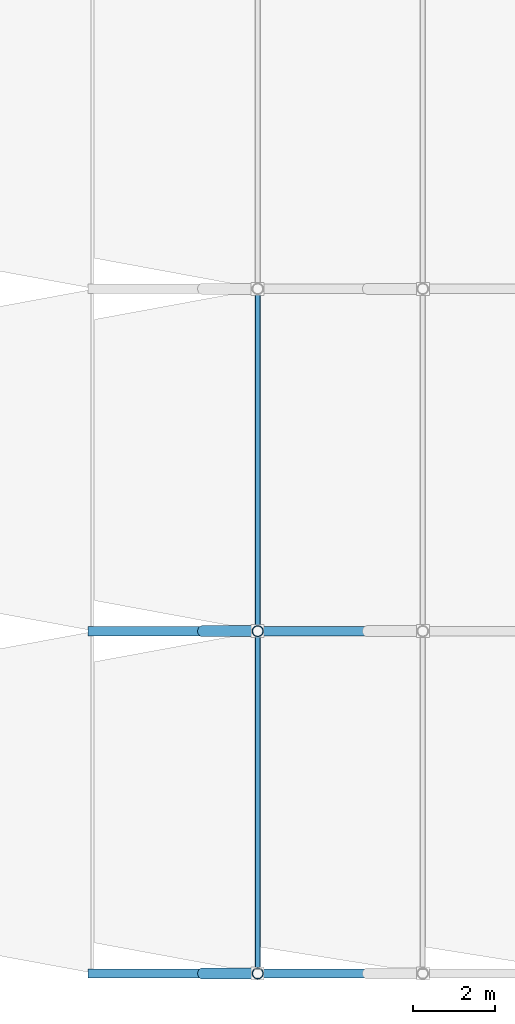
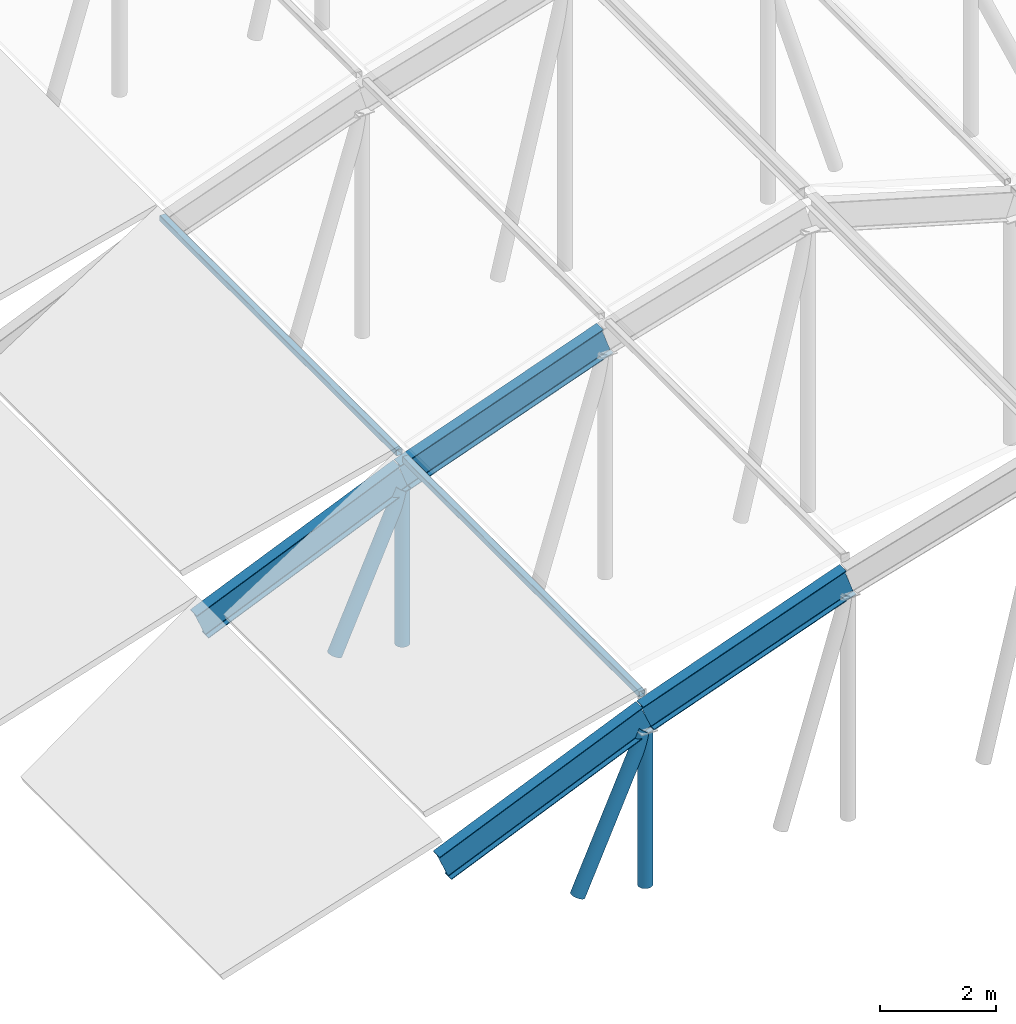
# One storey, part 1 of 22: 6 members, 4 beams.
"""IFC4 building model written with IfcOpenShell, lengths in metres."""

from ifc_helpers import new_model, si_unit, direction, frame, origin, origin_2d, place, context, subcontext, project, spatial, hollow_rectangle, hollow_circle, i_section, extrude, material, material_profile, profile_set, type_object, element, save


model = new_model("IFC4")

# Units and contexts
model_context = context("Model", 3, precision=1e-05, world=origin(), true_north=direction((0.0, 1.0)))
body_context = subcontext(model_context, "Body", "Model", "MODEL_VIEW")
ifc_project = project(units=[si_unit("LENGTHUNIT", "METRE"), si_unit("AREAUNIT", "SQUARE_METRE"), si_unit("VOLUMEUNIT", "CUBIC_METRE"), si_unit("PLANEANGLEUNIT", "RADIAN"), si_unit("MASSUNIT", "GRAM", prefix="KILO")], contexts=[model_context])

# Site, building, storey
site_placement = place(None, origin())
site = spatial("IfcSite", under=ifc_project, at=site_placement, CompositionType="ELEMENT")
building_placement = place(site_placement, origin())
building = spatial("IfcBuilding", under=site, at=building_placement, Name="Vireocrest Preparatory School", CompositionType="ELEMENT")
storey_placement = place(building_placement, frame((0.0, 0.0, 25.800048828125)))
storey = spatial("IfcBuildingStorey", under=building, at=storey_placement, Name="RF", CompositionType="ELEMENT", Elevation=25.800048828125)

# Members
ifc_material_1 = material(Name="Painted white steel ASTM A500 Grade C", Category="steel")
ifc_material_profile_1 = material_profile(ifc_material_1, hollow_rectangle(XDim=0.126953125, YDim=0.126953125, WallThickness=0.0087890625, InnerFilletRadius=0.0087890625, OuterFilletRadius=0.017822265625, at=origin_2d()), Name="HSS5X5X3/8")
ifc_profile_set_1 = profile_set([ifc_material_profile_1], Name="Painted white steel ASTM A500 Grade C")
member_type_1 = type_object("IfcMemberType", Name="Canopy Glass Steel Purlin HSS5X5X3/8", PredefinedType="PURLIN", material=ifc_profile_set_1)
for number, where, z_axis, x_axis, name in (
    (1, (71.699951171875, 27.110107421875, 1.33203125), (0.0, 1.0, 0.0), (-1.0, 0.0, 0.0), "Canopy Glass Purlin PR2-1-3"),
    (2, (71.699951171875, 35.510009765625, 1.33203125), (0.0, 1.0, 0.0), (-1.0, 0.0, 0.0), "Canopy Glass Purlin PR2-2-3"),
):
    element("IfcMember", number, at=place(storey_placement, frame(where, z_axis=z_axis, x_axis=x_axis)), inside=storey, type_object=member_type_1, Name=name, PredefinedType="PURLIN", context=body_context, shape_type="SweptSolid", body=[
        extrude(hollow_rectangle(XDim=0.126953125, YDim=0.126953125, WallThickness=0.0087890625, InnerFilletRadius=0.0087890625, OuterFilletRadius=0.017822265625, at=origin_2d()), origin(), (0.0, 0.0, 1.0), 8.179931640625),
    ])

# Beams
ifc_material_2 = material(Name="Structural steel ASTM A992 Grade 50", Category="steel")
ifc_material_profile_2 = material_profile(ifc_material_2, i_section(OverallWidth=0.22802734375, OverallDepth=0.60302734375, WebThickness=0.010498046875, FlangeThickness=0.014892578125, FilletRadius=0.01611328125, at=origin_2d()), Name="W24X68")
ifc_profile_set_2 = profile_set([ifc_material_profile_2], Name="Structural steel ASTM A992 Grade 50")
beam_type = type_object("IfcBeamType", Name="Dining Pavilion Roof Girder W24X68", PredefinedType="BEAM", material=ifc_profile_set_2)
beam_1_placement = place(storey_placement, frame((67.64990234375, 27.0, -0.8056640625), z_axis=(0.918795164694, 0.0, 0.394734651804), x_axis=(0.0, 1.0, 0.0)))
element("IfcBeam", 3, at=beam_1_placement, inside=storey, type_object=beam_type, Name="Canopy Rafter Chord SB4-1-2", PredefinedType="BEAM", context=body_context, shape_type="SweptSolid", body=[
    extrude(i_section(OverallWidth=0.22802734375, OverallDepth=0.60302734375, WebThickness=0.010498046875, FlangeThickness=0.014892578125, FilletRadius=0.01611328125, at=origin_2d()), origin(), (0.0, 0.0, 1.0), 4.407958984375),
])
beam_2_placement = place(storey_placement, frame((71.699951171875, 27.0, 0.934326171875), z_axis=(0.9407434664, 0.0, 0.33911905052), x_axis=(0.0, 1.0, 0.0)))
element("IfcBeam", 4, at=beam_2_placement, inside=storey, type_object=beam_type, Name="Canopy Rafter Chord SB4-1-3", PredefinedType="BEAM", context=body_context, shape_type="SweptSolid", body=[
    extrude(i_section(OverallWidth=0.22802734375, OverallDepth=0.60302734375, WebThickness=0.010498046875, FlangeThickness=0.014892578125, FilletRadius=0.01611328125, at=origin_2d()), origin(), (0.0, 0.0, 1.0), 4.30517578125),
])
beam_3_placement = place(storey_placement, frame((67.64990234375, 35.39990234375, -0.8056640625), z_axis=(0.918795164694, 0.0, 0.394734651804), x_axis=(0.0, 1.0, 0.0)))
element("IfcBeam", 5, at=beam_3_placement, inside=storey, type_object=beam_type, Name="Canopy Rafter Chord SB4-2-2", PredefinedType="BEAM", context=body_context, shape_type="SweptSolid", body=[
    extrude(i_section(OverallWidth=0.22802734375, OverallDepth=0.60302734375, WebThickness=0.010498046875, FlangeThickness=0.014892578125, FilletRadius=0.01611328125, at=origin_2d()), origin(), (0.0, 0.0, 1.0), 4.407958984375),
])
beam_4_placement = place(storey_placement, frame((71.699951171875, 35.39990234375, 0.934326171875), z_axis=(0.9407434664, 0.0, 0.33911905052), x_axis=(0.0, 1.0, 0.0)))
element("IfcBeam", 6, at=beam_4_placement, inside=storey, type_object=beam_type, Name="Canopy Rafter Chord SB4-2-3", PredefinedType="BEAM", context=body_context, shape_type="SweptSolid", body=[
    extrude(i_section(OverallWidth=0.22802734375, OverallDepth=0.60302734375, WebThickness=0.010498046875, FlangeThickness=0.014892578125, FilletRadius=0.01611328125, at=origin_2d()), origin(), (0.0, 0.0, 1.0), 4.30517578125),
])

# Members
ifc_material_profile_3 = material_profile(ifc_material_1, hollow_circle(Radius=0.136474609375, WallThickness=0.0126953125, at=origin_2d()), Name="HSS10.750X0.500")
ifc_profile_set_3 = profile_set([ifc_material_profile_3], Name="Painted white steel ASTM A500 Grade C")
member_type_2 = type_object("IfcMemberType", Name="White Steel Clerestory Strut HSS10.750X0.500", PredefinedType="USERDEFINED", material=ifc_profile_set_3)
member_1_placement = place(storey_placement, frame((71.699951171875, 27.0, -2.62255859375), z_axis=(0.0, 0.0, 1.0), x_axis=(1.0, 0.0, 0.0)))
element("IfcMember", 7, at=member_1_placement, inside=storey, type_object=member_type_2, Name="Canopy Truss Web Vertical VS3-1-3", ObjectType="STRUT", PredefinedType="USERDEFINED", context=body_context, shape_type="SweptSolid", body=[
    extrude(hollow_circle(Radius=0.136474609375, WallThickness=0.0126953125, at=origin_2d()), origin(), (0.0, 0.0, 1.0), 3.280517578125),
])
member_2_placement = place(storey_placement, frame((70.35009765625, 27.0, -2.385009765625), z_axis=(0.405491921788, 0.0, 0.91409862781), x_axis=(0.0, 1.0, 0.0)))
element("IfcMember", 8, at=member_2_placement, inside=storey, type_object=member_type_2, Name="Canopy Truss Web Strut VS3-1-2", ObjectType="STRUT", PredefinedType="USERDEFINED", context=body_context, shape_type="SweptSolid", body=[
    extrude(hollow_circle(Radius=0.136474609375, WallThickness=0.0126953125, at=origin_2d()), origin(), (0.0, 0.0, 1.0), 3.328857421875),
])
member_3_placement = place(storey_placement, frame((71.699951171875, 35.39990234375, -2.62255859375), z_axis=(0.0, 0.0, 1.0), x_axis=(1.0, 0.0, 0.0)))
element("IfcMember", 9, at=member_3_placement, inside=storey, type_object=member_type_2, Name="Canopy Truss Web Vertical VS3-2-3", ObjectType="STRUT", PredefinedType="USERDEFINED", context=body_context, shape_type="SweptSolid", body=[
    extrude(hollow_circle(Radius=0.136474609375, WallThickness=0.0126953125, at=origin_2d()), origin(), (0.0, 0.0, 1.0), 3.280517578125),
])
member_4_placement = place(storey_placement, frame((70.35009765625, 35.39990234375, -2.385009765625), z_axis=(0.405491921788, 0.0, 0.91409862781), x_axis=(0.0, 1.0, 0.0)))
element("IfcMember", 10, at=member_4_placement, inside=storey, type_object=member_type_2, Name="Canopy Truss Web Strut VS3-2-2", ObjectType="STRUT", PredefinedType="USERDEFINED", context=body_context, shape_type="SweptSolid", body=[
    extrude(hollow_circle(Radius=0.136474609375, WallThickness=0.0126953125, at=origin_2d()), origin(), (0.0, 0.0, 1.0), 3.328857421875),
])

save(model, "model.ifc")
